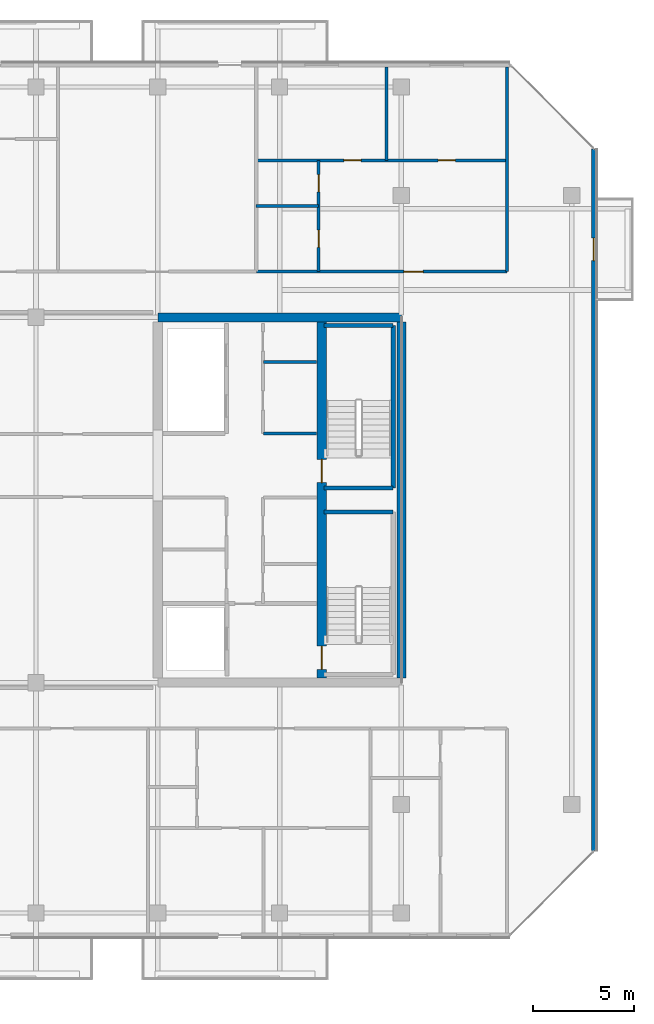
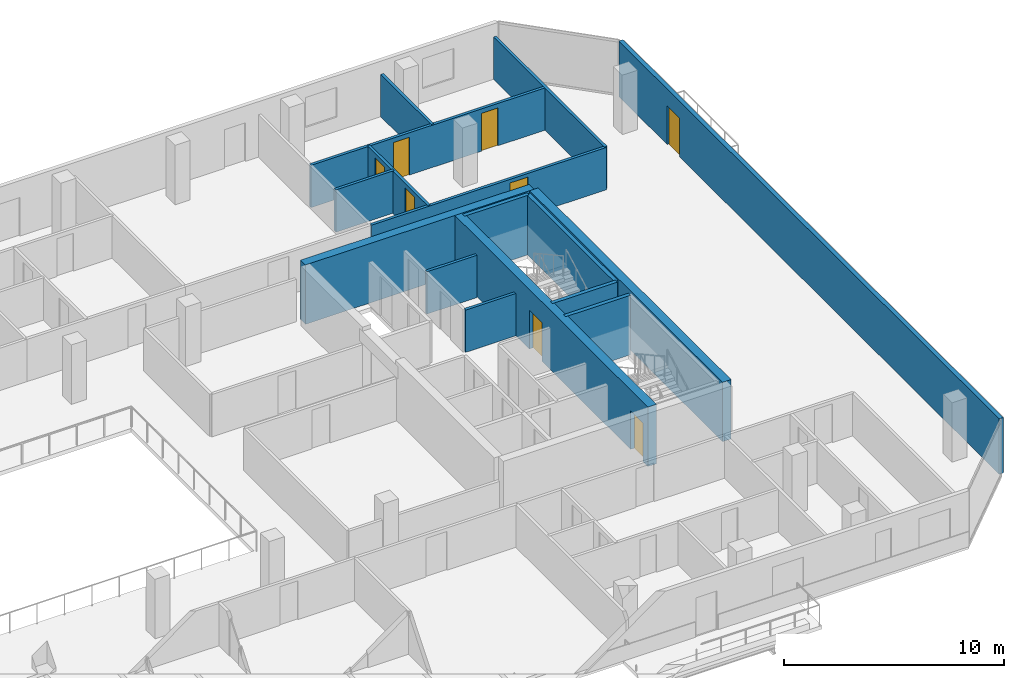
# One storey, part 23 of 29: 16 walls, 8 doors, 8 openings.
"""IFC4 building model written with IfcOpenShell, lengths in metres."""

from ifc_helpers import new_model, si_unit, direction, frame, frame_2d, origin, place, context, subcontext, project, spatial, rectangle, extrude, material, layer, layer_set, type_object, element, fill, save


model = new_model("IFC4")

# Units and contexts
model_context = context("Model", 3, precision=1e-05, world=origin(), true_north=direction((0.0, 1.0)))
body_context = subcontext(model_context, "Body", "Model", "MODEL_VIEW")
ifc_project = project(units=[si_unit("LENGTHUNIT", "METRE"), si_unit("AREAUNIT", "SQUARE_METRE"), si_unit("VOLUMEUNIT", "CUBIC_METRE"), si_unit("PLANEANGLEUNIT", "RADIAN"), si_unit("MASSUNIT", "GRAM", prefix="KILO")], contexts=[model_context])

# Site, building, storey
site_placement = place(None, origin())
site = spatial("IfcSite", under=ifc_project, at=site_placement, CompositionType="ELEMENT")
building_placement = place(site_placement, origin())
building = spatial("IfcBuilding", under=site, at=building_placement, Name="Tanjung Sevakor Pilgrim Tower", CompositionType="ELEMENT")
storey_placement = place(building_placement, frame((0.0, 0.0, 181.830078125)))
storey = spatial("IfcBuildingStorey", under=building, at=storey_placement, Name="L50", CompositionType="ELEMENT", Elevation=181.830078125)

# Walls
ifc_material_1 = material(Name="Concrete C60/75", Category="concrete")
ifc_layer_1 = layer(ifc_material_1, 0.449951171875)
ifc_layer_set_1 = layer_set([ifc_layer_1], Name="WALL-CW-450")
wall_type_1 = type_object("IfcWallType", Name="WALL-CW-450", PredefinedType="SHEAR", material=ifc_layer_set_1)
wall_1_placement = place(storey_placement, frame((90.0, 42.60009765625, 0.0), z_axis=(0.0, 0.0, 1.0), x_axis=(-1.0, 0.0, 0.0)))
element("IfcWall", 1, at=wall_1_placement, inside=storey, type_object=wall_type_1, Name="L50 E Core North Shear Wall", PredefinedType="SHEAR", context=body_context, shape_type="SweptSolid", body=[
    extrude(rectangle(XDim=12.0, YDim=0.449951171875, at=frame_2d((6.0, 0.0))), origin(), (0.0, 0.0, 1.0), 3.2998046875),
])
wall_2_placement = place(storey_placement, frame((90.0, 24.824951171875, 0.0), z_axis=(0.0, 0.0, 1.0), x_axis=(0.0, 1.0, 0.0)))
element("IfcWall", 2, at=wall_2_placement, inside=storey, type_object=wall_type_1, Name="L50 E Core Outer Shear Wall", PredefinedType="SHEAR", context=body_context, shape_type="SweptSolid", body=[
    extrude(rectangle(XDim=17.550048828125, YDim=0.449951171875, at=frame_2d((8.77490234375, 0.0))), origin(), (0.0, 0.0, 1.0), 3.2998046875),
])

# Wall, openings, doors
wall_3_placement = place(storey_placement, frame((86.074951171875, 24.824951171875, 0.0), z_axis=(0.0, 0.0, 1.0), x_axis=(0.0, 1.0, 0.0)))
wall_3 = element("IfcWall", 3, at=wall_3_placement, inside=storey, type_object=wall_type_1, Name="L50 E Core Stair Spine Wall", PredefinedType="SHEAR", context=body_context, shape_type="SweptSolid", body=[
    extrude(rectangle(XDim=17.550048828125, YDim=0.449951171875, at=frame_2d((8.77490234375, 0.0))), origin(), (0.0, 0.0, 1.0), 3.2998046875),
])
opening_1_placement = place(wall_3_placement, frame((0.425048828125, 0.0, 0.0)))
opening_1 = element("IfcOpeningElement", 4, at=opening_1_placement, cuts=wall_3, Name="Opening ID-ST1", PredefinedType="OPENING", context=body_context, shape_type="SweptSolid", body=[
    extrude(rectangle(XDim=1.14990234375, YDim=2.14990234375, at=frame_2d((0.574951171875, 1.074951171875))), frame((0.0, 0.23486328125, 0.0), z_axis=(0.0, -1.0, 0.0), x_axis=(1.0, 0.0, 0.0)), (0.0, 0.0, 1.0), 0.469970703125),
])
opening_2_placement = place(wall_3_placement, frame((9.625, 0.0, 0.0)))
opening_2 = element("IfcOpeningElement", 5, at=opening_2_placement, cuts=wall_3, Name="Opening ID-ST1", PredefinedType="OPENING", context=body_context, shape_type="SweptSolid", body=[
    extrude(rectangle(XDim=1.14990234375, YDim=2.14990234375, at=frame_2d((0.574951171875, 1.074951171875))), frame((0.0, 0.23486328125, 0.0), z_axis=(0.0, -1.0, 0.0), x_axis=(1.0, 0.0, 0.0)), (0.0, 0.0, 1.0), 0.469970703125),
])
ifc_material_2 = material(Name="Fire-Rated Steel S355J2", Category="steel")
door_type_1 = type_object("IfcDoorType", Name="DT-FIRE-1150", OperationType="NOTDEFINED", PredefinedType="DOOR", material=ifc_material_2)
door_1_placement = place(opening_1_placement, origin())
door_1 = element("IfcDoor", 6, at=door_1_placement, inside=storey, type_object=door_type_1, Name="L50 TS-E1 Stair Fire Door", OperationType="SINGLE_SWING_RIGHT", OverallHeight=2.14990234375, OverallWidth=1.14990234375, PredefinedType="DOOR", context=body_context, shape_type="SweptSolid", body=[
    extrude(rectangle(XDim=1.14990234375, YDim=2.14990234375, at=frame_2d((0.574951171875, 1.074951171875))), frame((0.0, 0.02490234375, 0.0), z_axis=(0.0, -1.0, 0.0), x_axis=(1.0, 0.0, 0.0)), (0.0, 0.0, 1.0), 0.050048828125),
])
fill(opening_1, door_1)
door_2_placement = place(opening_2_placement, origin())
door_2 = element("IfcDoor", 7, at=door_2_placement, inside=storey, type_object=door_type_1, Name="L50 TS-E2 Stair Fire Door", OperationType="SINGLE_SWING_LEFT", OverallHeight=2.14990234375, OverallWidth=1.14990234375, PredefinedType="DOOR", context=body_context, shape_type="SweptSolid", body=[
    extrude(rectangle(XDim=1.14990234375, YDim=2.14990234375, at=frame_2d((0.574951171875, 1.074951171875))), frame((0.0, 0.02490234375, 0.0), z_axis=(0.0, -1.0, 0.0), x_axis=(1.0, 0.0, 0.0)), (0.0, 0.0, 1.0), 0.050048828125),
])
fill(opening_2, door_2)

# Walls
ifc_material_3 = material(Name="Concrete C40/50", Category="concrete")
ifc_layer_2 = layer(ifc_material_3, 0.14990234375)
ifc_layer_set_2 = layer_set([ifc_layer_2], Name="WT-COMP-150")
wall_type_2 = type_object("IfcWallType", Name="WT-COMP-150", PredefinedType="SOLIDWALL", material=ifc_layer_set_2)
for number, where, z_axis, x_axis, name in (
    (8, (83.199951171875, 36.8798828125, 0.0), (0.0, 0.0, 1.0), (1.0, 0.0, 0.0), "L50 Partition IW-L50-022"),
    (9, (83.199951171875, 40.389892578125, 0.0), (0.0, 0.0, 1.0), (1.0, 0.0, 0.0), "L50 Partition IW-L50-023"),
):
    element("IfcWall", number, at=place(storey_placement, frame(where, z_axis=z_axis, x_axis=x_axis)), inside=storey, type_object=wall_type_2, Name=name, PredefinedType="SOLIDWALL", context=body_context, shape_type="SweptSolid", body=[
        extrude(rectangle(XDim=2.630126953125, YDim=0.14990234375, at=frame_2d((1.31494140625, 0.0))), origin(), (0.0, 0.0, 1.0), 2.35009765625),
    ])
wall_4_placement = place(storey_placement, frame((95.199951171875, 44.85009765625, 0.0), z_axis=(0.0, 0.0, 1.0), x_axis=(0.0, 1.0, 0.0)))
element("IfcWall", 10, at=wall_4_placement, inside=storey, type_object=wall_type_2, Name="L50 Partition IW-L50-085", PredefinedType="SOLIDWALL", context=body_context, shape_type="SweptSolid", body=[
    extrude(rectangle(XDim=10.079833984375, YDim=0.14990234375, at=frame_2d((5.0400390625, 0.0))), origin(), (0.0, 0.0, 1.0), 2.35009765625),
])

# Wall, opening, door
wall_5_placement = place(storey_placement, frame((82.850341796875, 44.85009765625, 0.0), z_axis=(0.0, 0.0, 1.0), x_axis=(1.0, 0.0, 0.0)))
wall_5 = element("IfcWall", 11, at=wall_5_placement, inside=storey, type_object=wall_type_2, Name="L50 Partition IW-L50-103", PredefinedType="SOLIDWALL", context=body_context, shape_type="SweptSolid", body=[
    extrude(rectangle(XDim=12.349609375, YDim=0.14990234375, at=frame_2d((6.1748046875, 0.0))), origin(), (0.0, 0.0, 1.0), 2.35009765625),
])
opening_3_placement = place(wall_5_placement, frame((7.274658203125, 0.0, 0.0)))
opening_3 = element("IfcOpeningElement", 12, at=opening_3_placement, cuts=wall_5, Name="Opening ID-FD2", PredefinedType="OPENING", context=body_context, shape_type="SweptSolid", body=[
    extrude(rectangle(XDim=0.949951171875, YDim=2.14990234375, at=frame_2d((0.47509765625, 1.074951171875))), frame((0.0, 0.0849609375, 0.0), z_axis=(0.0, -1.0, 0.0), x_axis=(1.0, 0.0, 0.0)), (0.0, 0.0, 1.0), 0.169921875),
])
ifc_material_4 = material(Name="Fire-Rated Timber", Category="wood")
door_type_2 = type_object("IfcDoorType", Name="DT-FIRE-950", OperationType="NOTDEFINED", PredefinedType="DOOR", material=ifc_material_4)
door_3_placement = place(opening_3_placement, origin())
door_3 = element("IfcDoor", 13, at=door_3_placement, inside=storey, type_object=door_type_2, Name="Suite Entrance", OperationType="SINGLE_SWING_LEFT", OverallHeight=2.14990234375, OverallWidth=0.949951171875, PredefinedType="DOOR", context=body_context, shape_type="SweptSolid", body=[
    extrude(rectangle(XDim=0.949951171875, YDim=2.14990234375, at=frame_2d((0.47509765625, 1.074951171875))), frame((0.0, 0.02490234375, 0.0), z_axis=(0.0, -1.0, 0.0), x_axis=(1.0, 0.0, 0.0)), (0.0, 0.0, 1.0), 0.050048828125),
])
fill(opening_3, door_3)

ifc_material_5 = material(Name="Precast concrete C45/55", Category="concrete")
ifc_layer_3 = layer(ifc_material_5, 0.219970703125)
ifc_layer_set_3 = layer_set([ifc_layer_3], Name="WT-EW-STN4")
wall_type_3 = type_object("IfcWallType", Name="WT-EW-STN4", PredefinedType="SOLIDWALL", material=ifc_layer_set_3)
wall_6_placement = place(storey_placement, frame((99.489990234375, 16.295654296875, 0.0), z_axis=(0.0, 0.0, 1.0), x_axis=(0.0, 1.0, 0.0)))
wall_6 = element("IfcWall", 14, at=wall_6_placement, inside=storey, type_object=wall_type_3, Name="L50 MAIN Exterior Wall 7", PredefinedType="SOLIDWALL", context=body_context, shape_type="SweptSolid", body=[
    extrude(rectangle(XDim=34.608642578125, YDim=0.219970703125, at=frame_2d((17.30419921875, 0.0))), origin(), (0.0, 0.0, 1.0), 3.080078125),
])
opening_4_placement = place(wall_6_placement, frame((29.1044921875, 0.0, 0.0)))
opening_4 = element("IfcOpeningElement", 15, at=opening_4_placement, cuts=wall_6, Name="Opening ED-BAL-1100", PredefinedType="OPENING", context=body_context, shape_type="SweptSolid", body=[
    extrude(rectangle(XDim=1.10009765625, YDim=2.14990234375, at=frame_2d((0.550048828125, 1.074951171875))), frame((0.0, 0.119873046875, 0.0), z_axis=(0.0, -1.0, 0.0), x_axis=(1.0, 0.0, 0.0)), (0.0, 0.0, 1.0), 0.239990234375),
])
ifc_material_6 = material(Name="Anodised Aluminium and Laminated Glass", Category="aluminium")
door_type_3 = type_object("IfcDoorType", Name="DTYP-ED-BAL-1100", OperationType="NOTDEFINED", PredefinedType="DOOR", material=ifc_material_6)
door_4_placement = place(opening_4_placement, frame((1.10009765625, 0.0, 0.0), z_axis=(0.0, 0.0, 1.0), x_axis=(-1.0, 0.0, 0.0)))
door_4 = element("IfcDoor", 16, at=door_4_placement, inside=storey, type_object=door_type_3, Name="L50 East Loggia Door MAIN-E1", OperationType="SINGLE_SWING_LEFT", OverallHeight=2.14990234375, OverallWidth=1.10009765625, PredefinedType="DOOR", context=body_context, shape_type="SweptSolid", body=[
    extrude(rectangle(XDim=1.10009765625, YDim=2.14990234375, at=frame_2d((0.550048828125, 1.074951171875))), frame((0.0, 0.02490234375, 0.0), z_axis=(0.0, -1.0, 0.0), x_axis=(1.0, 0.0, 0.0)), (0.0, 0.0, 1.0), 0.050048828125),
])
fill(opening_4, door_4)

# Walls
ifc_material_7 = material(Name="Concrete C40/50", Category="concrete")
ifc_layer_4 = layer(ifc_material_7, 0.199951171875)
ifc_layer_set_4 = layer_set([ifc_layer_4], Name="WT-FIRE-200")
wall_type_4 = type_object("IfcWallType", Name="WT-FIRE-200", PredefinedType="SOLIDWALL", material=ifc_layer_set_4)
for number, where, z_axis, x_axis, name in (
    (17, (89.60009765625, 33.0, 0.0), (0.0, 0.0, 1.0), (-1.0, 0.0, 0.0), "L50 TS-E1 Shaft Wall 3"),
    (18, (86.199951171875, 34.199951171875, 0.0), (0.0, 0.0, 1.0), (1.0, 0.0, 0.0), "L50 TS-E2 Shaft Wall 1"),
):
    element("IfcWall", number, at=place(storey_placement, frame(where, z_axis=z_axis, x_axis=x_axis)), inside=storey, type_object=wall_type_4, Name=name, PredefinedType="SOLIDWALL", context=body_context, shape_type="SweptSolid", body=[
        extrude(rectangle(XDim=3.400146484375, YDim=0.199951171875, at=frame_2d((1.7001953125, 0.0))), origin(), (0.0, 0.0, 1.0), 3.2998046875),
    ])
wall_7_placement = place(storey_placement, frame((89.60009765625, 34.199951171875, 0.0), z_axis=(0.0, 0.0, 1.0), x_axis=(0.0, 1.0, 0.0)))
element("IfcWall", 19, at=wall_7_placement, inside=storey, type_object=wall_type_4, Name="L50 TS-E2 Shaft Wall 2", PredefinedType="SOLIDWALL", context=body_context, shape_type="SweptSolid", body=[
    extrude(rectangle(XDim=8.0, YDim=0.199951171875, at=frame_2d((4.0, 0.0))), origin(), (0.0, 0.0, 1.0), 3.2998046875),
])
wall_8_placement = place(storey_placement, frame((89.60009765625, 42.199951171875, 0.0), z_axis=(0.0, 0.0, 1.0), x_axis=(-1.0, 0.0, 0.0)))
element("IfcWall", 20, at=wall_8_placement, inside=storey, type_object=wall_type_4, Name="L50 TS-E2 Shaft Wall 3", PredefinedType="SOLIDWALL", context=body_context, shape_type="SweptSolid", body=[
    extrude(rectangle(XDim=3.400146484375, YDim=0.199951171875, at=frame_2d((1.7001953125, 0.0))), origin(), (0.0, 0.0, 1.0), 3.2998046875),
])
ifc_material_8 = material(Name="Gypsum Board Partition", Category="gypsum board")
ifc_layer_5 = layer(ifc_material_8, 0.14990234375)
ifc_layer_set_5 = layer_set([ifc_layer_5], Name="WT-PART-150")
wall_type_5 = type_object("IfcWallType", Name="WT-PART-150", PredefinedType="PARTITIONING", material=ifc_layer_set_5)
wall_9_placement = place(storey_placement, frame((82.850341796875, 48.0869140625, 0.0), z_axis=(0.0, 0.0, 1.0), x_axis=(1.0, 0.0, 0.0)))
element("IfcWall", 21, at=wall_9_placement, inside=storey, type_object=wall_type_5, Name="L50 Partition IW-L50-099", PredefinedType="PARTITIONING", context=body_context, shape_type="SweptSolid", body=[
    extrude(rectangle(XDim=3.069580078125, YDim=0.14990234375, at=frame_2d((1.53466796875, 0.0))), origin(), (0.0, 0.0, 1.0), 2.35009765625),
])

# Wall, openings, doors
wall_10_placement = place(storey_placement, frame((85.919921875, 44.85009765625, 0.0), z_axis=(0.0, 0.0, 1.0), x_axis=(0.0, 1.0, 0.0)))
wall_10 = element("IfcWall", 22, at=wall_10_placement, inside=storey, type_object=wall_type_5, Name="L50 Partition IW-L50-100", PredefinedType="PARTITIONING", context=body_context, shape_type="SweptSolid", body=[
    extrude(rectangle(XDim=5.486083984375, YDim=0.14990234375, at=frame_2d((2.7431640625, 0.0))), origin(), (0.0, 0.0, 1.0), 2.35009765625),
])
opening_5_placement = place(wall_10_placement, frame((1.193359375, 0.0, 0.0)))
opening_5 = element("IfcOpeningElement", 23, at=opening_5_placement, cuts=wall_10, Name="Opening ID-WC1", PredefinedType="OPENING", context=body_context, shape_type="SweptSolid", body=[
    extrude(rectangle(XDim=0.85009765625, YDim=2.10009765625, at=frame_2d((0.425048828125, 1.050048828125))), frame((0.0, 0.0849609375, 0.0), z_axis=(0.0, -1.0, 0.0), x_axis=(1.0, 0.0, 0.0)), (0.0, 0.0, 1.0), 0.169921875),
])
opening_6_placement = place(wall_10_placement, frame((3.9365234375, 0.0, 0.0)))
opening_6 = element("IfcOpeningElement", 24, at=opening_6_placement, cuts=wall_10, Name="Opening ID-WC1", PredefinedType="OPENING", context=body_context, shape_type="SweptSolid", body=[
    extrude(rectangle(XDim=0.85009765625, YDim=2.10009765625, at=frame_2d((0.425048828125, 1.050048828125))), frame((0.0, 0.0849609375, 0.0), z_axis=(0.0, -1.0, 0.0), x_axis=(1.0, 0.0, 0.0)), (0.0, 0.0, 1.0), 0.169921875),
])
ifc_material_9 = material(Name="Moisture-Resistant Timber", Category="wood")
door_type_4 = type_object("IfcDoorType", Name="DT-INT-850", OperationType="NOTDEFINED", PredefinedType="DOOR", material=ifc_material_9)
door_5_placement = place(opening_5_placement, origin())
door_5 = element("IfcDoor", 25, at=door_5_placement, inside=storey, type_object=door_type_4, Name="Suite Kitchenette Door", OperationType="SINGLE_SWING_LEFT", OverallHeight=2.10009765625, OverallWidth=0.85009765625, PredefinedType="DOOR", context=body_context, shape_type="SweptSolid", body=[
    extrude(rectangle(XDim=0.85009765625, YDim=2.10009765625, at=frame_2d((0.425048828125, 1.050048828125))), frame((0.0, 0.02490234375, 0.0), z_axis=(0.0, -1.0, 0.0), x_axis=(1.0, 0.0, 0.0)), (0.0, 0.0, 1.0), 0.050048828125),
])
fill(opening_5, door_5)
door_6_placement = place(opening_6_placement, origin())
door_6 = element("IfcDoor", 26, at=door_6_placement, inside=storey, type_object=door_type_4, Name="Suite Bathroom Door", OperationType="SINGLE_SWING_RIGHT", OverallHeight=2.10009765625, OverallWidth=0.85009765625, PredefinedType="DOOR", context=body_context, shape_type="SweptSolid", body=[
    extrude(rectangle(XDim=0.85009765625, YDim=2.10009765625, at=frame_2d((0.425048828125, 1.050048828125))), frame((0.0, 0.02490234375, 0.0), z_axis=(0.0, -1.0, 0.0), x_axis=(1.0, 0.0, 0.0)), (0.0, 0.0, 1.0), 0.050048828125),
])
fill(opening_6, door_6)

# Wall
wall_11_placement = place(storey_placement, frame((89.272216796875, 50.336181640625, 0.0), z_axis=(0.0, 0.0, 1.0), x_axis=(0.0, 1.0, 0.0)))
element("IfcWall", 27, at=wall_11_placement, inside=storey, type_object=wall_type_5, Name="L50 Partition IW-L50-101", PredefinedType="PARTITIONING", context=body_context, shape_type="SweptSolid", body=[
    extrude(rectangle(XDim=4.59375, YDim=0.14990234375, at=frame_2d((2.296875, 0.0))), origin(), (0.0, 0.0, 1.0), 2.35009765625),
])

# Wall, openings, doors
wall_12_placement = place(storey_placement, frame((82.850341796875, 50.336181640625, 0.0), z_axis=(0.0, 0.0, 1.0), x_axis=(1.0, 0.0, 0.0)))
wall_12 = element("IfcWall", 28, at=wall_12_placement, inside=storey, type_object=wall_type_5, Name="L50 Partition IW-L50-102", PredefinedType="PARTITIONING", context=body_context, shape_type="SweptSolid", body=[
    extrude(rectangle(XDim=12.349609375, YDim=0.14990234375, at=frame_2d((6.1748046875, 0.0))), origin(), (0.0, 0.0, 1.0), 2.35009765625),
])
opening_7_placement = place(wall_12_placement, frame((4.32080078125, 0.0, 0.0)))
opening_7 = element("IfcOpeningElement", 29, at=opening_7_placement, cuts=wall_12, Name="Opening ID-WC1", PredefinedType="OPENING", context=body_context, shape_type="SweptSolid", body=[
    extrude(rectangle(XDim=0.85009765625, YDim=2.10009765625, at=frame_2d((0.425048828125, 1.050048828125))), frame((0.0, 0.0849609375, 0.0), z_axis=(0.0, -1.0, 0.0), x_axis=(1.0, 0.0, 0.0)), (0.0, 0.0, 1.0), 0.169921875),
])
opening_8_placement = place(wall_12_placement, frame((8.960693359375, 0.0, 0.0)))
opening_8 = element("IfcOpeningElement", 30, at=opening_8_placement, cuts=wall_12, Name="Opening ID-WC1", PredefinedType="OPENING", context=body_context, shape_type="SweptSolid", body=[
    extrude(rectangle(XDim=0.85009765625, YDim=2.10009765625, at=frame_2d((0.425048828125, 1.050048828125))), frame((0.0, 0.0849609375, 0.0), z_axis=(0.0, -1.0, 0.0), x_axis=(1.0, 0.0, 0.0)), (0.0, 0.0, 1.0), 0.169921875),
])
door_7_placement = place(opening_7_placement, origin())
door_7 = element("IfcDoor", 31, at=door_7_placement, inside=storey, type_object=door_type_4, Name="Suite Bedroom 1 Door", OperationType="SINGLE_SWING_LEFT", OverallHeight=2.10009765625, OverallWidth=0.85009765625, PredefinedType="DOOR", context=body_context, shape_type="SweptSolid", body=[
    extrude(rectangle(XDim=0.85009765625, YDim=2.10009765625, at=frame_2d((0.425048828125, 1.050048828125))), frame((0.0, 0.02490234375, 0.0), z_axis=(0.0, -1.0, 0.0), x_axis=(1.0, 0.0, 0.0)), (0.0, 0.0, 1.0), 0.050048828125),
])
fill(opening_7, door_7)
door_8_placement = place(opening_8_placement, origin())
door_8 = element("IfcDoor", 32, at=door_8_placement, inside=storey, type_object=door_type_4, Name="Suite Bedroom 2 Door", OperationType="SINGLE_SWING_RIGHT", OverallHeight=2.10009765625, OverallWidth=0.85009765625, PredefinedType="DOOR", context=body_context, shape_type="SweptSolid", body=[
    extrude(rectangle(XDim=0.85009765625, YDim=2.10009765625, at=frame_2d((0.425048828125, 1.050048828125))), frame((0.0, 0.02490234375, 0.0), z_axis=(0.0, -1.0, 0.0), x_axis=(1.0, 0.0, 0.0)), (0.0, 0.0, 1.0), 0.050048828125),
])
fill(opening_8, door_8)

save(model, "model.ifc")
